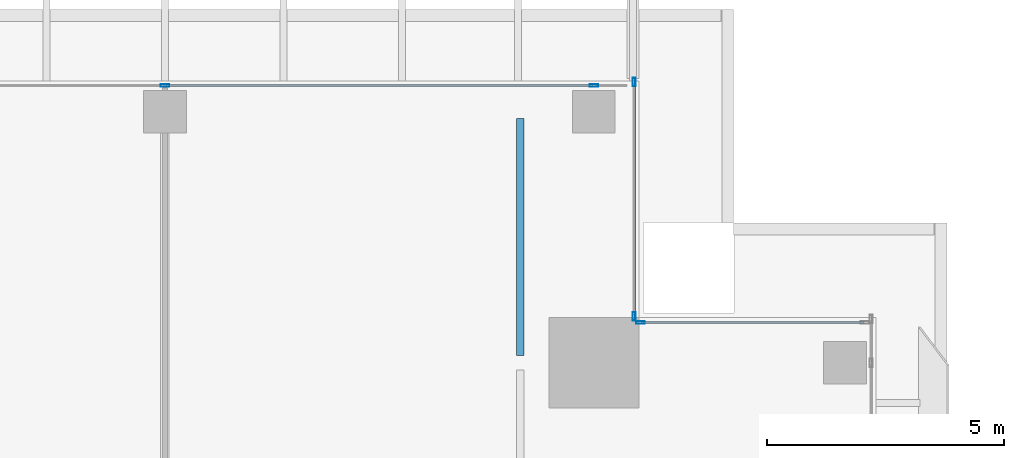
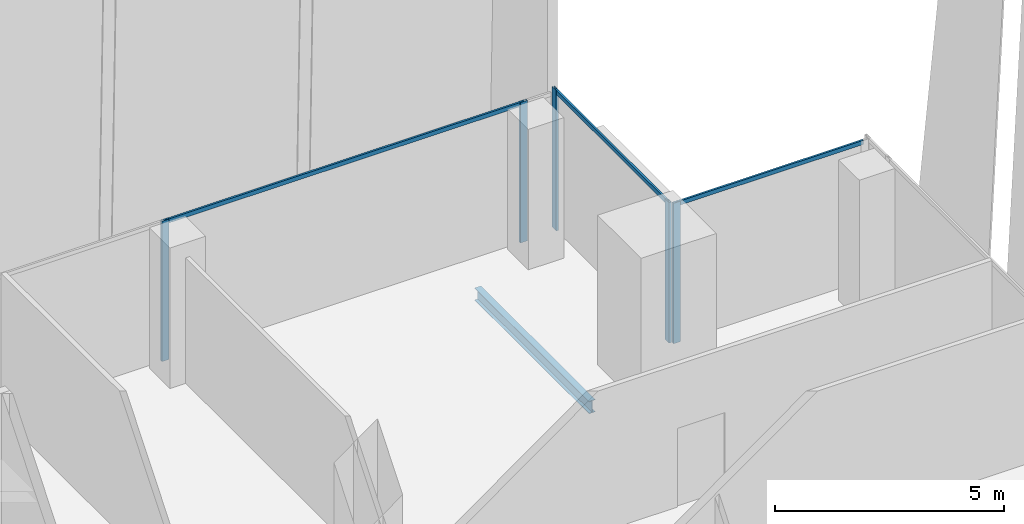
# One storey, part 18 of 33: 8 members, 1 beam, 3 elements without a shape of their own.
"""IFC4 building model written with IfcOpenShell, lengths in metres."""

from ifc_helpers import new_model, si_unit, direction, frame, origin, origin_2d, place, context, subcontext, project, spatial, hollow_rectangle, i_section, extrude, source, transform, mapped, material, material_profile, profile_set, type_object, element, aggregate, save


model = new_model("IFC4")

# Units and contexts
model_context = context("Model", 3, precision=1e-05, world=origin(), true_north=direction((0.0, 1.0)))
body_context = subcontext(model_context, "Body", "Model", "MODEL_VIEW")
ifc_project = project(units=[si_unit("LENGTHUNIT", "METRE"), si_unit("AREAUNIT", "SQUARE_METRE"), si_unit("VOLUMEUNIT", "CUBIC_METRE"), si_unit("PLANEANGLEUNIT", "RADIAN"), si_unit("MASSUNIT", "GRAM", prefix="KILO")], contexts=[model_context])

# Site, building, storey
site_placement = place(None, origin())
site = spatial("IfcSite", under=ifc_project, at=site_placement, CompositionType="ELEMENT")
building_placement = place(site_placement, origin())
building = spatial("IfcBuilding", under=site, at=building_placement, Name="Khomas Fold Tower", CompositionType="ELEMENT")
storey_placement = place(building_placement, frame((0.0, 0.0, 222.199951171875)))
storey = spatial("IfcBuildingStorey", under=building, at=storey_placement, Name="L49", CompositionType="ELEMENT", Elevation=222.199951171875)

# Beam
ifc_material_1 = material(Name="Steel S355", Category="steel")
ifc_material_profile_1 = material_profile(ifc_material_1, i_section(OverallWidth=0.159912109375, OverallDepth=0.330078125, WebThickness=0.007568359375, FlangeThickness=0.011474609375, at=origin_2d()), Name="IPE 330")
ifc_profile_set_1 = profile_set([ifc_material_profile_1], Name="Steel S355")
beam_type = type_object("IfcBeamType", Name="IPE 330 beam JB1", PredefinedType="BEAM", material=ifc_profile_set_1)
shared_shape_1 = source(origin(), body_context, "Body", "SweptSolid", [
    extrude(i_section(OverallWidth=0.159912109375, OverallDepth=0.330078125, WebThickness=0.007568359375, FlangeThickness=0.011474609375, at=origin_2d()), origin(), (0.0, 0.0, 1.0), 5.0),
])
beam_placement = place(storey_placement, frame((42.0, 43.699951171875, -0.4150390625), z_axis=(0.0, 1.0, 0.0), x_axis=(-1.0, 0.0, 0.0)))
element("IfcBeam", 1, at=beam_placement, inside=storey, type_object=beam_type, Name="JB1", PredefinedType="BEAM", context=body_context, shape_type="MappedRepresentation", body=[
    mapped(shared_shape_1, transform((0.0, 0.0, 0.0))),
])

# Curtain wall, member
ifc_material_2 = material(Name="Aluminium framed double glazing", Category="aluminium")
curtain_wall_type = type_object("IfcCurtainWallType", Name="SK-Unitised clear-glass wall, office floors CW2", PredefinedType="NOTDEFINED", material=ifc_material_2)
curtain_wall_1_placement = place(storey_placement, origin())
curtain_wall_1 = element("IfcCurtainWall", 2, at=curtain_wall_1_placement, inside=storey, type_object=curtain_wall_type, Name="CW2 corner return L49 04", PredefinedType="NOTDEFINED")
ifc_material_3 = material(Name="Aluminium", Category="aluminium")
ifc_material_profile_2 = material_profile(ifc_material_3, hollow_rectangle(XDim=0.06005859375, YDim=0.179931640625, WallThickness=0.00390625, at=origin_2d()), Name="SK-Unitised clear-glass wall, office floors mullion CW2-M")
ifc_profile_set_2 = profile_set([ifc_material_profile_2], Name="Aluminium")
member_type_1 = type_object("IfcMemberType", Name="SK-Unitised clear-glass wall, office floors mullion CW2-M", PredefinedType="MULLION", material=ifc_profile_set_2)
shared_shape_2 = source(origin(), body_context, "Body", "SweptSolid", [
    extrude(hollow_rectangle(XDim=0.06005859375, YDim=0.179931640625, WallThickness=0.00390625, at=origin_2d()), origin(), (0.0, 0.0, 1.0), 3.75),
])
member_1_placement = place(storey_placement, frame((44.530029296875, 44.39990234375, 0.0), z_axis=(0.0, 0.0, 1.0), x_axis=(0.0, -1.0, 0.0)))
member_1 = element("IfcMember", 3, at=member_1_placement, type_object=member_type_1, Name="CW2 mullion 2", PredefinedType="MULLION", context=body_context, shape_type="MappedRepresentation", body=[
    mapped(shared_shape_2, transform((0.0, 0.0, 0.0))),
])

# Curtain wall, members
curtain_wall_2_placement = place(storey_placement, origin())
curtain_wall_2 = element("IfcCurtainWall", 4, at=curtain_wall_2_placement, inside=storey, type_object=curtain_wall_type, Name="CW2 corner return L49 05", PredefinedType="NOTDEFINED")
member_2_placement = place(storey_placement, frame((44.39990234375, 44.530029296875, 0.0), z_axis=(0.0, 0.0, 1.0), x_axis=(-1.0, 0.0, 0.0)))
member_2 = element("IfcMember", 5, at=member_2_placement, type_object=member_type_1, Name="CW2 mullion 1", PredefinedType="MULLION", context=body_context, shape_type="MappedRepresentation", body=[
    mapped(shared_shape_2, transform((0.0, 0.0, 0.0))),
])
member_3_placement = place(storey_placement, frame((44.39990234375, 49.469970703125, 0.0), z_axis=(0.0, 0.0, 1.0), x_axis=(-1.0, 0.0, 0.0)))
member_3 = element("IfcMember", 6, at=member_3_placement, type_object=member_type_1, Name="CW2 mullion 2", PredefinedType="MULLION", context=body_context, shape_type="MappedRepresentation", body=[
    mapped(shared_shape_2, transform((0.0, 0.0, 0.0))),
])

curtain_wall_3_placement = place(storey_placement, origin())
curtain_wall_3 = element("IfcCurtainWall", 7, at=curtain_wall_3_placement, inside=storey, type_object=curtain_wall_type, Name="CW2 run L49 06-0", PredefinedType="NOTDEFINED")
member_4_placement = place(storey_placement, frame((43.550048828125, 49.39990234375, 0.0), z_axis=(0.0, 0.0, 1.0), x_axis=(0.0, -1.0, 0.0)))
member_4 = element("IfcMember", 8, at=member_4_placement, type_object=member_type_1, Name="CW2 mullion 2", PredefinedType="MULLION", context=body_context, shape_type="MappedRepresentation", body=[
    mapped(shared_shape_2, transform((0.0, 0.0, 0.0))),
])
member_5_placement = place(storey_placement, frame((34.5, 49.39990234375, 0.0), z_axis=(0.0, 0.0, 1.0), x_axis=(0.0, -1.0, 0.0)))
member_5 = element("IfcMember", 9, at=member_5_placement, type_object=member_type_1, Name="CW2 mullion 3", PredefinedType="MULLION", context=body_context, shape_type="MappedRepresentation", body=[
    mapped(shared_shape_2, transform((0.0, 0.0, 0.0))),
])
ifc_material_4 = material(Name="Aluminium", Category="aluminium")
ifc_material_profile_3 = material_profile(ifc_material_4, hollow_rectangle(XDim=0.050048828125, YDim=0.110107421875, WallThickness=0.00390625, at=origin_2d()), Name="SK-Unitised clear-glass wall, office floors transom CW2-T")
ifc_profile_set_3 = profile_set([ifc_material_profile_3], Name="Aluminium")
member_type_2 = type_object("IfcMemberType", Name="SK-Unitised clear-glass wall, office floors transom CW2-T", PredefinedType="USERDEFINED", material=ifc_profile_set_3)
shared_shape_3 = source(origin(), body_context, "Body", "SweptSolid", [
    extrude(hollow_rectangle(XDim=0.050048828125, YDim=0.110107421875, WallThickness=0.00390625, at=origin_2d()), origin(), (0.0, 0.0, 1.0), 8.989990234375),
])
member_6_placement = place(storey_placement, frame((43.52001953125, 49.39990234375, 3.695068359375), z_axis=(-1.0, 0.0, 0.0), x_axis=(0.0, -1.0, 0.0)))
member_6 = element("IfcMember", 10, at=member_6_placement, type_object=member_type_2, Name="CW2 transom 2", ObjectType="TRANSOM", PredefinedType="USERDEFINED", context=body_context, shape_type="MappedRepresentation", body=[
    mapped(shared_shape_3, transform((0.0, 0.0, 0.0))),
])
aggregate(curtain_wall_3, [member_4, member_5, member_6])

# Member
shared_shape_4 = source(origin(), body_context, "Body", "SweptSolid", [
    extrude(hollow_rectangle(XDim=0.050048828125, YDim=0.110107421875, WallThickness=0.00390625, at=origin_2d()), origin(), (0.0, 0.0, 1.0), 4.679931640625),
])
member_7_placement = place(storey_placement, frame((49.239990234375, 44.39990234375, 3.695068359375), z_axis=(-1.0, 0.0, 0.0), x_axis=(0.0, -1.0, 0.0)))
member_7 = element("IfcMember", 11, at=member_7_placement, type_object=member_type_2, Name="CW2 transom 1", ObjectType="TRANSOM", PredefinedType="USERDEFINED", context=body_context, shape_type="MappedRepresentation", body=[
    mapped(shared_shape_4, transform((0.0, 0.0, 0.0))),
])

aggregate(curtain_wall_1, [member_1, member_7])

shared_shape_5 = source(origin(), body_context, "Body", "SweptSolid", [
    extrude(hollow_rectangle(XDim=0.050048828125, YDim=0.110107421875, WallThickness=0.00390625, at=origin_2d()), origin(), (0.0, 0.0, 1.0), 4.8798828125),
])
member_8_placement = place(storey_placement, frame((44.39990234375, 44.56005859375, 3.695068359375), z_axis=(0.0, 1.0, 0.0), x_axis=(-1.0, 0.0, 0.0)))
member_8 = element("IfcMember", 12, at=member_8_placement, type_object=member_type_2, Name="CW2 transom 1", ObjectType="TRANSOM", PredefinedType="USERDEFINED", context=body_context, shape_type="MappedRepresentation", body=[
    mapped(shared_shape_5, transform((0.0, 0.0, 0.0))),
])

aggregate(curtain_wall_2, [member_2, member_3, member_8])

save(model, "model.ifc")
